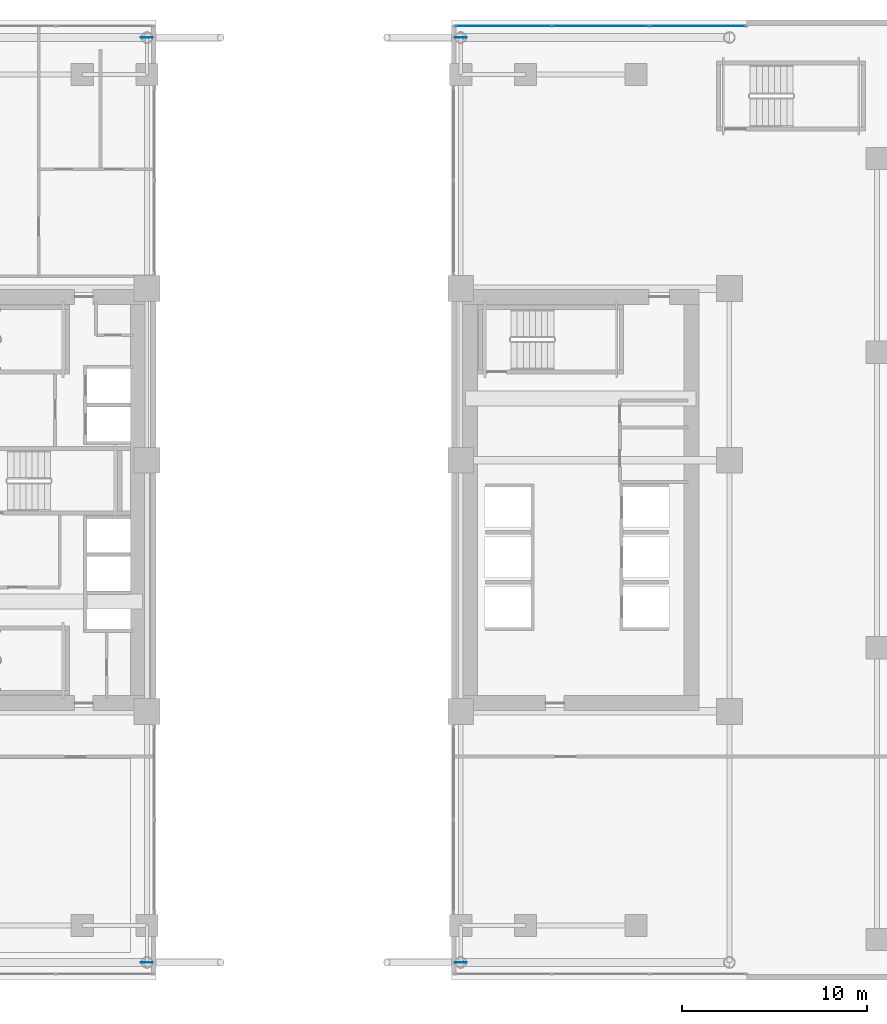
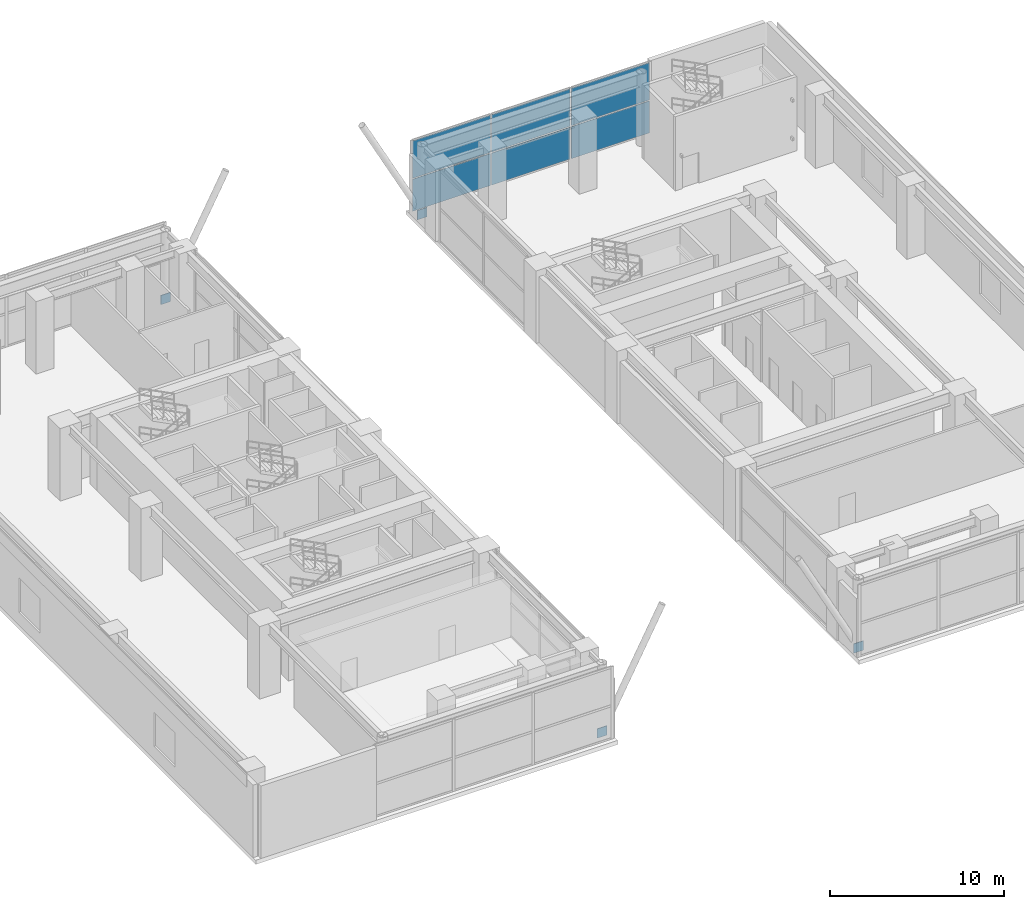
# One storey, part 19 of 29: 10 plates, 1 element without a shape of its own.
"""IFC4 building model written with IfcOpenShell, lengths in metres."""

from ifc_helpers import new_model, si_unit, direction, frame, origin, origin_2d, place, context, subcontext, project, spatial, rectangle, extrude, source, transform, mapped, material, layer, layer_set, type_object, element, aggregate, save


model = new_model("IFC4")

# Units and contexts
model_context = context("Model", 3, precision=1e-05, world=origin(), true_north=direction((0.0, 1.0)))
body_context = subcontext(model_context, "Body", "Model", "MODEL_VIEW")
ifc_project = project(units=[si_unit("LENGTHUNIT", "METRE"), si_unit("AREAUNIT", "SQUARE_METRE"), si_unit("VOLUMEUNIT", "CUBIC_METRE"), si_unit("PLANEANGLEUNIT", "RADIAN"), si_unit("MASSUNIT", "GRAM", prefix="KILO")], contexts=[model_context])

# Site, building, storey
site_placement = place(None, origin())
site = spatial("IfcSite", under=ifc_project, at=site_placement, CompositionType="ELEMENT")
building_placement = place(site_placement, origin())
building = spatial("IfcBuilding", under=site, at=building_placement, Name="Ocotamira Hotel", CompositionType="ELEMENT")
storey_placement = place(building_placement, frame((0.0, 0.0, 6.0)))
storey = spatial("IfcBuildingStorey", under=building, at=storey_placement, Name="L02", CompositionType="ELEMENT", Elevation=6.0)

# Plates
ifc_material_1 = material(Name="Pale-metal coated steel ASTM A572 Grade 50", Category="steel")
ifc_layer_1 = layer(ifc_material_1, 0.0400390625)
ifc_layer_set_1 = layer_set([ifc_layer_1], Name="Pale-metal coated steel ASTM A572 Grade 50")
plate_type_1 = type_object("IfcPlateType", Name="PLT-GUSSET-40", PredefinedType="SHEET", material=ifc_layer_set_1)
shared_shape_1 = source(origin(), body_context, "Body", "SweptSolid", [
    extrude(rectangle(XDim=0.64990234375, YDim=0.0400390625, at=origin_2d()), origin(), (0.0, 0.0, 1.0), 0.64990234375),
])
for number, where, z_axis, x_axis, name in (
    (1, (23.5, 0.949951171875, -0.125), (0.0, 0.0, 1.0), (1.0, 0.0, 0.0), "L02 Giant Portal Arch Rib S1 End Gusset A"),
    (2, (40.5, 0.949951171875, -0.125), (0.0, 0.0, 1.0), (1.0, 0.0, 0.0), "L02 Giant Portal Arch Rib S4 End Gusset B"),
    (3, (23.5, 51.050048828125, -0.125), (0.0, 0.0, 1.0), (1.0, 0.0, 0.0), "L02 Giant Portal Arch Rib N1 End Gusset A"),
    (4, (40.5, 51.050048828125, -0.125), (0.0, 0.0, 1.0), (1.0, 0.0, 0.0), "L02 Giant Portal Arch Rib N4 End Gusset B"),
):
    element("IfcPlate", number, at=place(storey_placement, frame(where, z_axis=z_axis, x_axis=x_axis)), inside=storey, type_object=plate_type_1, Name=name, PredefinedType="SHEET", context=body_context, shape_type="MappedRepresentation", body=[
        mapped(shared_shape_1, transform((0.0, 0.0, 0.0), scale=1.0)),
    ])

# Curtain wall, plates
ifc_material_2 = material(Name="Anodised pale-metal aluminium and solar glass", Category="aluminium")
ifc_layer_2 = layer(ifc_material_2, 0.219970703125)
ifc_layer_set_2 = layer_set([ifc_layer_2], Name="Anodised pale-metal aluminium and solar glass")
curtain_wall_type = type_object("IfcCurtainWallType", Name="CW-SYS1-POD", PredefinedType="NOTDEFINED", material=ifc_layer_set_2)
curtain_wall_placement = place(storey_placement, origin())
curtain_wall = element("IfcCurtainWall", 5, at=curtain_wall_placement, inside=storey, type_object=curtain_wall_type, Name="L02 Curtain Wall CW-1 CW-L02-NE", PredefinedType="NOTDEFINED")
ifc_material_3 = material(Name="Double-silver low-E insulated solar glass", Category="glass")
ifc_layer_3 = layer(ifc_material_3, 0.031982421875)
ifc_layer_set_3 = layer_set([ifc_layer_3], Name="Double-silver low-E insulated solar glass")
plate_type_2 = type_object("IfcPlateType", Name="CWP-VISION-32", PredefinedType="CURTAIN_PANEL", material=ifc_layer_set_3)
shared_shape_2 = source(origin(), body_context, "Body", "SweptSolid", [
    extrude(rectangle(XDim=5.163330078125, YDim=0.031982421875, at=origin_2d()), origin(), (0.0, 0.0, 1.0), 2.237548828125),
])
plate_1_placement = place(storey_placement, frame((42.811767578125, 51.679931640625, 0.0751953125), z_axis=(0.0, 0.0, 1.0), x_axis=(1.0, 0.0, 0.0)))
plate_1 = element("IfcPlate", 6, at=plate_1_placement, type_object=plate_type_2, Name="CW-1 panel 1.1", PredefinedType="CURTAIN_PANEL", context=body_context, shape_type="MappedRepresentation", body=[
    mapped(shared_shape_2, transform((0.0, 0.0, 0.0), scale=1.0)),
])
plate_2_placement = place(storey_placement, frame((53.33837890625, 51.679931640625, 0.0751953125), z_axis=(0.0, 0.0, 1.0), x_axis=(1.0, 0.0, 0.0)))
plate_2 = element("IfcPlate", 7, at=plate_2_placement, type_object=plate_type_2, Name="CW-1 panel 3.1", PredefinedType="CURTAIN_PANEL", context=body_context, shape_type="MappedRepresentation", body=[
    mapped(shared_shape_2, transform((0.0, 0.0, 0.0), scale=1.0)),
])
shared_shape_3 = source(origin(), body_context, "Body", "SweptSolid", [
    extrude(rectangle(XDim=5.163330078125, YDim=0.031982421875, at=origin_2d()), origin(), (0.0, 0.0, 1.0), 2.617431640625),
])
plate_3_placement = place(storey_placement, frame((42.811767578125, 51.679931640625, 2.3876953125), z_axis=(0.0, 0.0, 1.0), x_axis=(1.0, 0.0, 0.0)))
plate_3 = element("IfcPlate", 8, at=plate_3_placement, type_object=plate_type_2, Name="CW-1 panel 1.2", PredefinedType="CURTAIN_PANEL", context=body_context, shape_type="MappedRepresentation", body=[
    mapped(shared_shape_3, transform((0.0, 0.0, 0.0), scale=1.0)),
])
plate_4_placement = place(storey_placement, frame((53.33837890625, 51.679931640625, 2.3876953125), z_axis=(0.0, 0.0, 1.0), x_axis=(1.0, 0.0, 0.0)))
plate_4 = element("IfcPlate", 9, at=plate_4_placement, type_object=plate_type_2, Name="CW-1 panel 3.2", PredefinedType="CURTAIN_PANEL", context=body_context, shape_type="MappedRepresentation", body=[
    mapped(shared_shape_3, transform((0.0, 0.0, 0.0), scale=1.0)),
])
shared_shape_4 = source(origin(), body_context, "Body", "SweptSolid", [
    extrude(rectangle(XDim=5.203369140625, YDim=0.031982421875, at=origin_2d()), origin(), (0.0, 0.0, 1.0), 2.237548828125),
])
plate_5_placement = place(storey_placement, frame((48.074951171875, 51.679931640625, 0.0751953125), z_axis=(0.0, 0.0, 1.0), x_axis=(1.0, 0.0, 0.0)))
plate_5 = element("IfcPlate", 10, at=plate_5_placement, type_object=plate_type_2, Name="CW-1 panel 2.1", PredefinedType="CURTAIN_PANEL", context=body_context, shape_type="MappedRepresentation", body=[
    mapped(shared_shape_4, transform((0.0, 0.0, 0.0), scale=1.0)),
])
shared_shape_5 = source(origin(), body_context, "Body", "SweptSolid", [
    extrude(rectangle(XDim=5.203369140625, YDim=0.031982421875, at=origin_2d()), origin(), (0.0, 0.0, 1.0), 2.617431640625),
])
plate_6_placement = place(storey_placement, frame((48.074951171875, 51.679931640625, 2.3876953125), z_axis=(0.0, 0.0, 1.0), x_axis=(1.0, 0.0, 0.0)))
plate_6 = element("IfcPlate", 11, at=plate_6_placement, type_object=plate_type_2, Name="CW-1 panel 2.2", PredefinedType="CURTAIN_PANEL", context=body_context, shape_type="MappedRepresentation", body=[
    mapped(shared_shape_5, transform((0.0, 0.0, 0.0), scale=1.0)),
])
aggregate(curtain_wall, [plate_1, plate_3, plate_5, plate_6, plate_2, plate_4])

save(model, "model.ifc")
